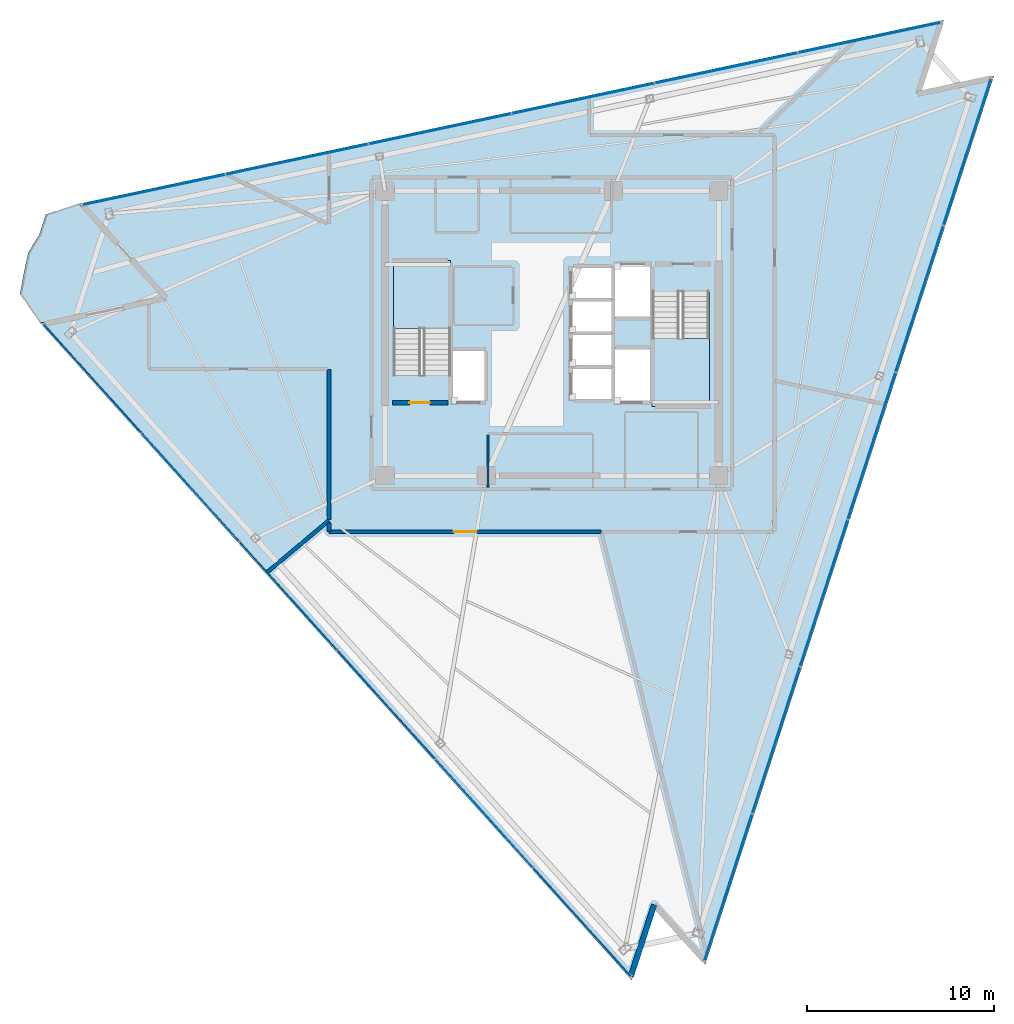
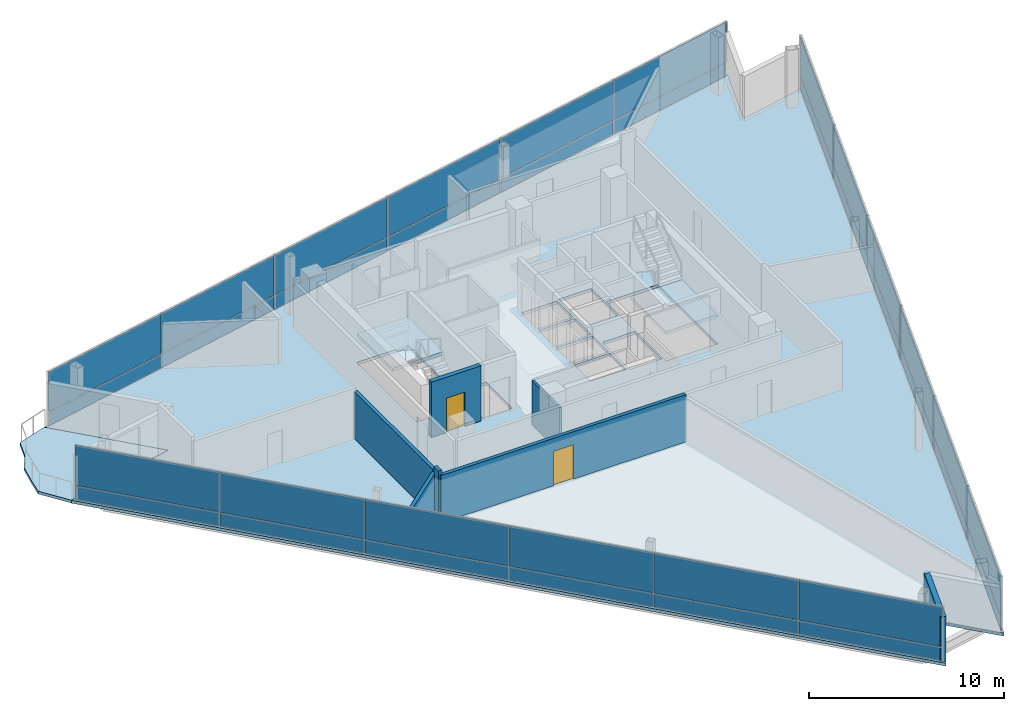
# One storey, part 9 of 15: 36 plates, 7 walls, 4 slabs, 2 doors, 2 openings, 5 elements without a shape of their own.
"""IFC4 building model written with IfcOpenShell, lengths in metres."""

from ifc_helpers import new_model, si_unit, direction, frame, frame_2d, origin, origin_2d, place, context, subcontext, project, spatial, polyline, rectangle, outline, extrude, material, layer, layer_set, type_object, element, fill, aggregate, save


model = new_model("IFC4")

# Units and contexts
model_context = context("Model", 3, precision=1e-05, world=origin(), true_north=direction((0.0, 1.0)))
body_context = subcontext(model_context, "Body", "Model", "MODEL_VIEW")
ifc_project = project(units=[si_unit("LENGTHUNIT", "METRE"), si_unit("AREAUNIT", "SQUARE_METRE"), si_unit("VOLUMEUNIT", "CUBIC_METRE"), si_unit("PLANEANGLEUNIT", "RADIAN"), si_unit("MASSUNIT", "GRAM", prefix="KILO")], contexts=[model_context])

# Site, building, storey
site_placement = place(None, origin())
site = spatial("IfcSite", under=ifc_project, at=site_placement, CompositionType="ELEMENT")
building_placement = place(site_placement, origin())
building = spatial("IfcBuilding", under=site, at=building_placement, Name="Tharavind Bronze Gate", CompositionType="ELEMENT")
storey_placement = place(building_placement, frame((0.0, 0.0, 290.699951171875)))
storey = spatial("IfcBuildingStorey", under=building, at=storey_placement, Name="L75", CompositionType="ELEMENT", Elevation=290.699951171875)

# Curtain wall, plates
ifc_material_1 = material(Name="Anodised Bronze Aluminium", Category="aluminium")
ifc_layer_1 = layer(ifc_material_1, 0.219970703125)
ifc_layer_set_1 = layer_set([ifc_layer_1], Name="Anodised Bronze Aluminium")
curtain_wall_type = type_object("IfcCurtainWallType", Name="UNITISED CURTAIN WALL CROWN", PredefinedType="USERDEFINED", material=ifc_layer_set_1)
curtain_wall_1_placement = place(storey_placement, origin())
curtain_wall_1 = element("IfcCurtainWall", 1, at=curtain_wall_1_placement, inside=storey, type_object=curtain_wall_type, Name="L75 unitised curtain wall crown CW-L75-S1", ObjectType="UNITISED CURTAIN WALL", PredefinedType="USERDEFINED")
ifc_material_2 = material(Name="Patinated Bronze Alloy Sheet", Category="bronze")
ifc_layer_2 = layer(ifc_material_2, 0.01611328125)
ifc_layer_set_2 = layer_set([ifc_layer_2], Name="Patinated Bronze Alloy Sheet")
plate_type_1 = type_object("IfcPlateType", Name="BRONZE SPANDREL CLADDING PANEL 16", PredefinedType="CURTAIN_PANEL", material=ifc_layer_set_2)
plate_1_placement = place(storey_placement, frame((-24.494873046875, -2.404052734375, 0.0263671875), z_axis=(0.0, 0.0, 1.0), x_axis=(0.669130606359, -0.743144825477, 0.0)))
plate_1 = element("IfcPlate", 2, at=plate_1_placement, type_object=plate_type_1, Name="CW-L75-S1 bronze spandrel panel 1", PredefinedType="CURTAIN_PANEL", context=body_context, shape_type="SweptSolid", body=[
    extrude(rectangle(XDim=7.749755859375, YDim=0.01611328125, at=origin_2d()), origin(), (0.0, 0.0, 1.0), 0.846923828125),
])
plate_2_placement = place(storey_placement, frame((-19.273681640625, -8.20263671875, 0.0263671875), z_axis=(0.0, 0.0, 1.0), x_axis=(0.669130606359, -0.743144825477, 0.0)))
plate_2 = element("IfcPlate", 3, at=plate_2_placement, type_object=plate_type_1, Name="CW-L75-S1 bronze spandrel panel 2", PredefinedType="CURTAIN_PANEL", context=body_context, shape_type="SweptSolid", body=[
    extrude(rectangle(XDim=7.749755859375, YDim=0.01611328125, at=origin_2d()), origin(), (0.0, 0.0, 1.0), 0.846923828125),
])
plate_3_placement = place(storey_placement, frame((-14.052734375, -14.001220703125, 0.0263671875), z_axis=(0.0, 0.0, 1.0), x_axis=(0.669130606359, -0.743144825477, 0.0)))
plate_3 = element("IfcPlate", 4, at=plate_3_placement, type_object=plate_type_1, Name="CW-L75-S1 bronze spandrel panel 3", PredefinedType="CURTAIN_PANEL", context=body_context, shape_type="SweptSolid", body=[
    extrude(rectangle(XDim=7.749755859375, YDim=0.01611328125, at=origin_2d()), origin(), (0.0, 0.0, 1.0), 0.846923828125),
])
plate_4_placement = place(storey_placement, frame((-8.831787109375, -19.7998046875, 0.0263671875), z_axis=(0.0, 0.0, 1.0), x_axis=(0.669130606359, -0.743144825477, 0.0)))
plate_4 = element("IfcPlate", 5, at=plate_4_placement, type_object=plate_type_1, Name="CW-L75-S1 bronze spandrel panel 4", PredefinedType="CURTAIN_PANEL", context=body_context, shape_type="SweptSolid", body=[
    extrude(rectangle(XDim=7.749755859375, YDim=0.01611328125, at=origin_2d()), origin(), (0.0, 0.0, 1.0), 0.846923828125),
])
plate_5_placement = place(storey_placement, frame((-3.610595703125, -25.59814453125, 0.0263671875), z_axis=(0.0, 0.0, 1.0), x_axis=(0.669130606359, -0.743144825477, 0.0)))
plate_5 = element("IfcPlate", 6, at=plate_5_placement, type_object=plate_type_1, Name="CW-L75-S1 bronze spandrel panel 5", PredefinedType="CURTAIN_PANEL", context=body_context, shape_type="SweptSolid", body=[
    extrude(rectangle(XDim=7.749755859375, YDim=0.01611328125, at=origin_2d()), origin(), (0.0, 0.0, 1.0), 0.846923828125),
])
plate_6_placement = place(storey_placement, frame((1.6103515625, -31.396728515625, 0.0263671875), z_axis=(0.0, 0.0, 1.0), x_axis=(0.669130606359, -0.743144825477, 0.0)))
plate_6 = element("IfcPlate", 7, at=plate_6_placement, type_object=plate_type_1, Name="CW-L75-S1 bronze spandrel panel 6", PredefinedType="CURTAIN_PANEL", context=body_context, shape_type="SweptSolid", body=[
    extrude(rectangle(XDim=7.749755859375, YDim=0.01611328125, at=origin_2d()), origin(), (0.0, 0.0, 1.0), 0.846923828125),
])

curtain_wall_2_placement = place(storey_placement, origin())
curtain_wall_2 = element("IfcCurtainWall", 8, at=curtain_wall_2_placement, inside=storey, type_object=curtain_wall_type, Name="L75 unitised curtain wall crown CW-L75-S2", ObjectType="UNITISED CURTAIN WALL", PredefinedType="USERDEFINED")
plate_7_placement = place(storey_placement, frame((9.41552734375, -29.54052734375, 0.0263671875), z_axis=(0.0, 0.0, 1.0), x_axis=(0.309016994375, 0.951056516295, 0.0)))
plate_7 = element("IfcPlate", 9, at=plate_7_placement, type_object=plate_type_1, Name="CW-L75-S2 bronze spandrel panel 1", PredefinedType="CURTAIN_PANEL", context=body_context, shape_type="SweptSolid", body=[
    extrude(rectangle(XDim=8.195068359375, YDim=0.01611328125, at=origin_2d()), origin(), (0.0, 0.0, 1.0), 0.846923828125),
])
plate_8_placement = place(storey_placement, frame((11.96435546875, -21.6962890625, 0.0263671875), z_axis=(0.0, 0.0, 1.0), x_axis=(0.309016994375, 0.951056516295, 0.0)))
plate_8 = element("IfcPlate", 10, at=plate_8_placement, type_object=plate_type_1, Name="CW-L75-S2 bronze spandrel panel 2", PredefinedType="CURTAIN_PANEL", context=body_context, shape_type="SweptSolid", body=[
    extrude(rectangle(XDim=8.195068359375, YDim=0.01611328125, at=origin_2d()), origin(), (0.0, 0.0, 1.0), 0.846923828125),
])
plate_9_placement = place(storey_placement, frame((14.51318359375, -13.851806640625, 0.0263671875), z_axis=(0.0, 0.0, 1.0), x_axis=(0.309016994375, 0.951056516295, 0.0)))
plate_9 = element("IfcPlate", 11, at=plate_9_placement, type_object=plate_type_1, Name="CW-L75-S2 bronze spandrel panel 3", PredefinedType="CURTAIN_PANEL", context=body_context, shape_type="SweptSolid", body=[
    extrude(rectangle(XDim=8.195068359375, YDim=0.01611328125, at=origin_2d()), origin(), (0.0, 0.0, 1.0), 0.846923828125),
])
plate_10_placement = place(storey_placement, frame((17.06201171875, -6.007568359375, 0.0263671875), z_axis=(0.0, 0.0, 1.0), x_axis=(0.309016994375, 0.951056516295, 0.0)))
plate_10 = element("IfcPlate", 12, at=plate_10_placement, type_object=plate_type_1, Name="CW-L75-S2 bronze spandrel panel 4", PredefinedType="CURTAIN_PANEL", context=body_context, shape_type="SweptSolid", body=[
    extrude(rectangle(XDim=8.195068359375, YDim=0.01611328125, at=origin_2d()), origin(), (0.0, 0.0, 1.0), 0.846923828125),
])
plate_11_placement = place(storey_placement, frame((19.610595703125, 1.8369140625, 0.0263671875), z_axis=(0.0, 0.0, 1.0), x_axis=(0.309016994375, 0.951056516295, 0.0)))
plate_11 = element("IfcPlate", 13, at=plate_11_placement, type_object=plate_type_1, Name="CW-L75-S2 bronze spandrel panel 5", PredefinedType="CURTAIN_PANEL", context=body_context, shape_type="SweptSolid", body=[
    extrude(rectangle(XDim=8.195068359375, YDim=0.01611328125, at=origin_2d()), origin(), (0.0, 0.0, 1.0), 0.846923828125),
])
plate_12_placement = place(storey_placement, frame((22.159423828125, 9.68115234375, 0.0263671875), z_axis=(0.0, 0.0, 1.0), x_axis=(0.309016994375, 0.951056516295, 0.0)))
plate_12 = element("IfcPlate", 14, at=plate_12_placement, type_object=plate_type_1, Name="CW-L75-S2 bronze spandrel panel 6", PredefinedType="CURTAIN_PANEL", context=body_context, shape_type="SweptSolid", body=[
    extrude(rectangle(XDim=8.195068359375, YDim=0.01611328125, at=origin_2d()), origin(), (0.0, 0.0, 1.0), 0.846923828125),
])

curtain_wall_3_placement = place(storey_placement, origin())
curtain_wall_3 = element("IfcCurtainWall", 15, at=curtain_wall_3_placement, inside=storey, type_object=curtain_wall_type, Name="L75 unitised curtain wall crown CW-L75-S3", ObjectType="UNITISED CURTAIN WALL", PredefinedType="USERDEFINED")
plate_13_placement = place(storey_placement, frame((16.935791015625, 15.770751953125, 0.0263671875), z_axis=(0.0, 0.0, 1.0), x_axis=(-0.978147237858, -0.207913398007, 0.0)))
plate_13 = element("IfcPlate", 16, at=plate_13_placement, type_object=plate_type_1, Name="CW-L75-S3 bronze spandrel panel 1", PredefinedType="CURTAIN_PANEL", context=body_context, shape_type="SweptSolid", body=[
    extrude(rectangle(XDim=7.749755859375, YDim=0.01611328125, at=origin_2d()), origin(), (0.0, 0.0, 1.0), 0.846923828125),
])
plate_14_placement = place(storey_placement, frame((9.3037109375, 14.1484375, 0.0263671875), z_axis=(0.0, 0.0, 1.0), x_axis=(-0.978147237858, -0.207913398007, 0.0)))
plate_14 = element("IfcPlate", 17, at=plate_14_placement, type_object=plate_type_1, Name="CW-L75-S3 bronze spandrel panel 2", PredefinedType="CURTAIN_PANEL", context=body_context, shape_type="SweptSolid", body=[
    extrude(rectangle(XDim=7.749755859375, YDim=0.01611328125, at=origin_2d()), origin(), (0.0, 0.0, 1.0), 0.846923828125),
])
plate_15_placement = place(storey_placement, frame((1.67138671875, 12.526123046875, 0.0263671875), z_axis=(0.0, 0.0, 1.0), x_axis=(-0.978147237858, -0.207913398007, 0.0)))
plate_15 = element("IfcPlate", 18, at=plate_15_placement, type_object=plate_type_1, Name="CW-L75-S3 bronze spandrel panel 3", PredefinedType="CURTAIN_PANEL", context=body_context, shape_type="SweptSolid", body=[
    extrude(rectangle(XDim=7.749755859375, YDim=0.01611328125, at=origin_2d()), origin(), (0.0, 0.0, 1.0), 0.846923828125),
])
plate_16_placement = place(storey_placement, frame((-5.960693359375, 10.90380859375, 0.0263671875), z_axis=(0.0, 0.0, 1.0), x_axis=(-0.978147237858, -0.207913398007, 0.0)))
plate_16 = element("IfcPlate", 19, at=plate_16_placement, type_object=plate_type_1, Name="CW-L75-S3 bronze spandrel panel 4", PredefinedType="CURTAIN_PANEL", context=body_context, shape_type="SweptSolid", body=[
    extrude(rectangle(XDim=7.749755859375, YDim=0.01611328125, at=origin_2d()), origin(), (0.0, 0.0, 1.0), 0.846923828125),
])
plate_17_placement = place(storey_placement, frame((-13.5927734375, 9.281494140625, 0.0263671875), z_axis=(0.0, 0.0, 1.0), x_axis=(-0.978147237858, -0.207913398007, 0.0)))
plate_17 = element("IfcPlate", 20, at=plate_17_placement, type_object=plate_type_1, Name="CW-L75-S3 bronze spandrel panel 5", PredefinedType="CURTAIN_PANEL", context=body_context, shape_type="SweptSolid", body=[
    extrude(rectangle(XDim=7.749755859375, YDim=0.01611328125, at=origin_2d()), origin(), (0.0, 0.0, 1.0), 0.846923828125),
])
plate_18_placement = place(storey_placement, frame((-21.22509765625, 7.6591796875, 0.0263671875), z_axis=(0.0, 0.0, 1.0), x_axis=(-0.978147237858, -0.207913398007, 0.0)))
plate_18 = element("IfcPlate", 21, at=plate_18_placement, type_object=plate_type_1, Name="CW-L75-S3 bronze spandrel panel 6", PredefinedType="CURTAIN_PANEL", context=body_context, shape_type="SweptSolid", body=[
    extrude(rectangle(XDim=7.749755859375, YDim=0.01611328125, at=origin_2d()), origin(), (0.0, 0.0, 1.0), 0.846923828125),
])

# Slab
ifc_material_3 = material(Name="Concrete C40/50", Category="concrete")
ifc_layer_3 = layer(ifc_material_3, 0.175048828125)
ifc_layer_set_3 = layer_set([ifc_layer_3], Name="Concrete C40/50")
slab_type_1 = type_object("IfcSlabType", Name="EXTERIOR BALCONY SLAB 175", PredefinedType="FLOOR", material=ifc_layer_set_3)
slab_1_placement = place(storey_placement, frame((0.0, 0.0, -0.175048828125)))
element("IfcSlab", 22, at=slab_1_placement, inside=storey, type_object=slab_type_1, Name="L75 northeast tree balcony slab", PredefinedType="FLOOR", context=body_context, shape_type="SweptSolid", body=[
    extrude(outline(polyline([(-26.992431640625, 6.34375), (-27.33642578125, 5.284912109375), (-27.927978515625, 4.306396484375), (-28.1650390625, 3.212890625), (-28.36865234375, 2.1083984375), (-27.29541015625, 0.556884765625), (-20.761474609375, 1.94580078125), (-25.231201171875, 6.909912109375), (-26.992431640625, 6.34375)])), origin(), (0.0, 0.0, 1.0), 0.175048828125),
])

# Stair, slab
stair_type = type_object("IfcStairType", Name="CORE HALF TURN STAIR 1450", PredefinedType="HALF_TURN_STAIR", material=ifc_material_3)
stair_1_placement = place(storey_placement, origin())
stair_1 = element("IfcStair", 23, at=stair_1_placement, inside=storey, type_object=stair_type, Name="L75 Protected Exit Stair ST1", PredefinedType="HALF_TURN_STAIR")
ifc_layer_4 = layer(ifc_material_3, 0.199951171875)
ifc_layer_set_4 = layer_set([ifc_layer_4], Name="Concrete C40/50")
slab_type_2 = type_object("IfcSlabType", Name="STAIR LANDING SLAB 200", PredefinedType="LANDING", material=ifc_layer_set_4)
slab_2_placement = place(storey_placement, frame((0.0, 0.0, 1.625)))
slab_2 = element("IfcSlab", 24, at=slab_2_placement, type_object=slab_type_2, Name="ST1 landing 1", PredefinedType="LANDING", context=body_context, shape_type="SweptSolid", body=[
    extrude(outline(polyline([(-5.39990234375, 0.27001953125), (-5.39990234375, 3.89990234375), (-8.449951171875, 3.89990234375), (-8.449951171875, 0.27001953125), (-5.39990234375, 0.27001953125)])), origin(), (0.0, 0.0, 1.0), 0.199951171875),
])
aggregate(stair_1, [slab_2])

stair_2_placement = place(storey_placement, origin())
stair_2 = element("IfcStair", 25, at=stair_2_placement, inside=storey, type_object=stair_type, Name="L75 Protected Exit Stair ST2", PredefinedType="HALF_TURN_STAIR")
slab_3_placement = place(storey_placement, frame((0.0, 0.0, 1.625)))
slab_3 = element("IfcSlab", 26, at=slab_3_placement, type_object=slab_type_2, Name="ST2 landing 1", PredefinedType="LANDING", context=body_context, shape_type="SweptSolid", body=[
    extrude(outline(polyline([(5.35009765625, -0.27001953125), (5.35009765625, -3.89990234375), (8.39990234375, -3.89990234375), (8.39990234375, -0.27001953125), (5.35009765625, -0.27001953125)])), origin(), (0.0, 0.0, 1.0), 0.199951171875),
])
aggregate(stair_2, [slab_3])

# Slab
ifc_layer_5 = layer(ifc_material_3, 0.18505859375)
ifc_layer_set_5 = layer_set([ifc_layer_5], Name="Concrete C40/50")
slab_type_3 = type_object("IfcSlabType", Name="STRUCTURAL FLOOR SLAB 185", PredefinedType="FLOOR", material=ifc_layer_set_5)
slab_4_placement = place(storey_placement, frame((0.0, 0.0, -0.18505859375)))
element("IfcSlab", 27, at=slab_4_placement, inside=storey, type_object=slab_type_3, Name="L75 main structural floor slab", PredefinedType="FLOOR", context=body_context, shape_type="SweptSolid", body=[
    extrude(outline(polyline([(-25.231201171875, 6.909912109375), (-20.761474609375, 1.94580078125), (-27.29541015625, 0.556884765625), (4.262451171875, -34.49169921875), (5.5009765625, -30.6796875), (8.182861328125, -33.658203125), (23.58251953125, 13.737060546875), (19.662109375, 12.90380859375), (20.900634765625, 16.7158203125), (-25.231201171875, 6.909912109375)]), holes=[polyline([(-5.39990234375, -2.215087890625), (-5.39990234375, 3.89990234375), (-8.449951171875, 3.89990234375), (-8.449951171875, -2.215087890625), (-5.39990234375, -2.215087890625)]), polyline([(5.35009765625, 2.215087890625), (5.35009765625, -3.89990234375), (8.39990234375, -3.89990234375), (8.39990234375, 2.215087890625), (5.35009765625, 2.215087890625)]), polyline([(1.080078125, -3.52001953125), (3.199951171875, -3.52001953125), (3.199951171875, -1.8798828125), (1.080078125, -1.8798828125), (1.080078125, -3.52001953125)]), polyline([(1.080078125, -1.719970703125), (3.199951171875, -1.719970703125), (3.199951171875, -0.080078125), (1.080078125, -0.080078125), (1.080078125, -1.719970703125)]), polyline([(1.080078125, 0.080078125), (3.199951171875, 0.080078125), (3.199951171875, 1.719970703125), (1.080078125, 1.719970703125), (1.080078125, 0.080078125)]), polyline([(1.080078125, 1.8798828125), (3.199951171875, 1.8798828125), (3.199951171875, 3.52001953125), (1.080078125, 3.52001953125), (1.080078125, 1.8798828125)]), polyline([(-5.320068359375, -3.6201171875), (-3.580078125, -3.6201171875), (-3.580078125, -0.929931640625), (-5.320068359375, -0.929931640625), (-5.320068359375, -3.6201171875)]), polyline([(3.360107421875, 0.8798828125), (5.27001953125, 0.8798828125), (5.27001953125, 3.6201171875), (3.360107421875, 3.6201171875), (3.360107421875, 0.8798828125)]), polyline([(3.360107421875, -3.6201171875), (5.27001953125, -3.6201171875), (5.27001953125, -0.830078125), (3.360107421875, -0.830078125), (3.360107421875, -3.6201171875)])]), origin(), (0.0, 0.0, 1.0), 0.18505859375),
])

# Plate
ifc_material_4 = material(Name="Triple Solar Control Glazing", Category="glass")
ifc_layer_6 = layer(ifc_material_4, 0.0439453125)
ifc_layer_set_6 = layer_set([ifc_layer_6], Name="Triple Solar Control Glazing")
plate_type_2 = type_object("IfcPlateType", Name="TRIPLE GLAZED FACADE PANEL 44", PredefinedType="CURTAIN_PANEL", material=ifc_layer_set_6)
plate_19_placement = place(storey_placement, frame((-24.494873046875, -2.404052734375, 0.9267578125), z_axis=(0.0, 0.0, 1.0), x_axis=(0.669130606359, -0.743144825477, 0.0)))
plate_19 = element("IfcPlate", 28, at=plate_19_placement, type_object=plate_type_2, Name="CW-L75-S1 vision glazing panel 1", PredefinedType="CURTAIN_PANEL", context=body_context, shape_type="SweptSolid", body=[
    extrude(rectangle(XDim=7.749755859375, YDim=0.0439453125, at=origin_2d()), origin(), (0.0, 0.0, 1.0), 2.511962890625),
])

plate_20_placement = place(storey_placement, frame((-19.273681640625, -8.20263671875, 0.9267578125), z_axis=(0.0, 0.0, 1.0), x_axis=(0.669130606359, -0.743144825477, 0.0)))
plate_20 = element("IfcPlate", 29, at=plate_20_placement, type_object=plate_type_2, Name="CW-L75-S1 vision glazing panel 2", PredefinedType="CURTAIN_PANEL", context=body_context, shape_type="SweptSolid", body=[
    extrude(rectangle(XDim=7.749755859375, YDim=0.0439453125, at=origin_2d()), origin(), (0.0, 0.0, 1.0), 2.511962890625),
])

plate_21_placement = place(storey_placement, frame((-14.052734375, -14.001220703125, 0.9267578125), z_axis=(0.0, 0.0, 1.0), x_axis=(0.669130606359, -0.743144825477, 0.0)))
plate_21 = element("IfcPlate", 30, at=plate_21_placement, type_object=plate_type_2, Name="CW-L75-S1 vision glazing panel 3", PredefinedType="CURTAIN_PANEL", context=body_context, shape_type="SweptSolid", body=[
    extrude(rectangle(XDim=7.749755859375, YDim=0.0439453125, at=origin_2d()), origin(), (0.0, 0.0, 1.0), 2.511962890625),
])

plate_22_placement = place(storey_placement, frame((-8.831787109375, -19.7998046875, 0.9267578125), z_axis=(0.0, 0.0, 1.0), x_axis=(0.669130606359, -0.743144825477, 0.0)))
plate_22 = element("IfcPlate", 31, at=plate_22_placement, type_object=plate_type_2, Name="CW-L75-S1 vision glazing panel 4", PredefinedType="CURTAIN_PANEL", context=body_context, shape_type="SweptSolid", body=[
    extrude(rectangle(XDim=7.749755859375, YDim=0.0439453125, at=origin_2d()), origin(), (0.0, 0.0, 1.0), 2.511962890625),
])

plate_23_placement = place(storey_placement, frame((-3.610595703125, -25.59814453125, 0.9267578125), z_axis=(0.0, 0.0, 1.0), x_axis=(0.669130606359, -0.743144825477, 0.0)))
plate_23 = element("IfcPlate", 32, at=plate_23_placement, type_object=plate_type_2, Name="CW-L75-S1 vision glazing panel 5", PredefinedType="CURTAIN_PANEL", context=body_context, shape_type="SweptSolid", body=[
    extrude(rectangle(XDim=7.749755859375, YDim=0.0439453125, at=origin_2d()), origin(), (0.0, 0.0, 1.0), 2.511962890625),
])

plate_24_placement = place(storey_placement, frame((1.6103515625, -31.396728515625, 0.9267578125), z_axis=(0.0, 0.0, 1.0), x_axis=(0.669130606359, -0.743144825477, 0.0)))
plate_24 = element("IfcPlate", 33, at=plate_24_placement, type_object=plate_type_2, Name="CW-L75-S1 vision glazing panel 6", PredefinedType="CURTAIN_PANEL", context=body_context, shape_type="SweptSolid", body=[
    extrude(rectangle(XDim=7.749755859375, YDim=0.0439453125, at=origin_2d()), origin(), (0.0, 0.0, 1.0), 2.511962890625),
])

aggregate(curtain_wall_1, [plate_1, plate_19, plate_2, plate_20, plate_3, plate_21, plate_4, plate_22, plate_5, plate_23, plate_6, plate_24])

plate_25_placement = place(storey_placement, frame((9.41552734375, -29.54052734375, 0.9267578125), z_axis=(0.0, 0.0, 1.0), x_axis=(0.309016994375, 0.951056516295, 0.0)))
plate_25 = element("IfcPlate", 34, at=plate_25_placement, type_object=plate_type_2, Name="CW-L75-S2 vision glazing panel 1", PredefinedType="CURTAIN_PANEL", context=body_context, shape_type="SweptSolid", body=[
    extrude(rectangle(XDim=8.195068359375, YDim=0.0439453125, at=origin_2d()), origin(), (0.0, 0.0, 1.0), 2.511962890625),
])

plate_26_placement = place(storey_placement, frame((11.96435546875, -21.6962890625, 0.9267578125), z_axis=(0.0, 0.0, 1.0), x_axis=(0.309016994375, 0.951056516295, 0.0)))
plate_26 = element("IfcPlate", 35, at=plate_26_placement, type_object=plate_type_2, Name="CW-L75-S2 vision glazing panel 2", PredefinedType="CURTAIN_PANEL", context=body_context, shape_type="SweptSolid", body=[
    extrude(rectangle(XDim=8.195068359375, YDim=0.0439453125, at=origin_2d()), origin(), (0.0, 0.0, 1.0), 2.511962890625),
])

plate_27_placement = place(storey_placement, frame((14.51318359375, -13.851806640625, 0.9267578125), z_axis=(0.0, 0.0, 1.0), x_axis=(0.309016994375, 0.951056516295, 0.0)))
plate_27 = element("IfcPlate", 36, at=plate_27_placement, type_object=plate_type_2, Name="CW-L75-S2 vision glazing panel 3", PredefinedType="CURTAIN_PANEL", context=body_context, shape_type="SweptSolid", body=[
    extrude(rectangle(XDim=8.195068359375, YDim=0.0439453125, at=origin_2d()), origin(), (0.0, 0.0, 1.0), 2.511962890625),
])

plate_28_placement = place(storey_placement, frame((17.06201171875, -6.007568359375, 0.9267578125), z_axis=(0.0, 0.0, 1.0), x_axis=(0.309016994375, 0.951056516295, 0.0)))
plate_28 = element("IfcPlate", 37, at=plate_28_placement, type_object=plate_type_2, Name="CW-L75-S2 vision glazing panel 4", PredefinedType="CURTAIN_PANEL", context=body_context, shape_type="SweptSolid", body=[
    extrude(rectangle(XDim=8.195068359375, YDim=0.0439453125, at=origin_2d()), origin(), (0.0, 0.0, 1.0), 2.511962890625),
])

plate_29_placement = place(storey_placement, frame((19.610595703125, 1.8369140625, 0.9267578125), z_axis=(0.0, 0.0, 1.0), x_axis=(0.309016994375, 0.951056516295, 0.0)))
plate_29 = element("IfcPlate", 38, at=plate_29_placement, type_object=plate_type_2, Name="CW-L75-S2 vision glazing panel 5", PredefinedType="CURTAIN_PANEL", context=body_context, shape_type="SweptSolid", body=[
    extrude(rectangle(XDim=8.195068359375, YDim=0.0439453125, at=origin_2d()), origin(), (0.0, 0.0, 1.0), 2.511962890625),
])

plate_30_placement = place(storey_placement, frame((22.159423828125, 9.68115234375, 0.9267578125), z_axis=(0.0, 0.0, 1.0), x_axis=(0.309016994375, 0.951056516295, 0.0)))
plate_30 = element("IfcPlate", 39, at=plate_30_placement, type_object=plate_type_2, Name="CW-L75-S2 vision glazing panel 6", PredefinedType="CURTAIN_PANEL", context=body_context, shape_type="SweptSolid", body=[
    extrude(rectangle(XDim=8.195068359375, YDim=0.0439453125, at=origin_2d()), origin(), (0.0, 0.0, 1.0), 2.511962890625),
])

aggregate(curtain_wall_2, [plate_7, plate_25, plate_8, plate_26, plate_9, plate_27, plate_10, plate_28, plate_11, plate_29, plate_12, plate_30])

plate_31_placement = place(storey_placement, frame((16.935791015625, 15.770751953125, 0.9267578125), z_axis=(0.0, 0.0, 1.0), x_axis=(-0.978147237858, -0.207913398007, 0.0)))
plate_31 = element("IfcPlate", 40, at=plate_31_placement, type_object=plate_type_2, Name="CW-L75-S3 vision glazing panel 1", PredefinedType="CURTAIN_PANEL", context=body_context, shape_type="SweptSolid", body=[
    extrude(rectangle(XDim=7.749755859375, YDim=0.0439453125, at=origin_2d()), origin(), (0.0, 0.0, 1.0), 2.511962890625),
])

plate_32_placement = place(storey_placement, frame((9.3037109375, 14.1484375, 0.9267578125), z_axis=(0.0, 0.0, 1.0), x_axis=(-0.978147237858, -0.207913398007, 0.0)))
plate_32 = element("IfcPlate", 41, at=plate_32_placement, type_object=plate_type_2, Name="CW-L75-S3 vision glazing panel 2", PredefinedType="CURTAIN_PANEL", context=body_context, shape_type="SweptSolid", body=[
    extrude(rectangle(XDim=7.749755859375, YDim=0.0439453125, at=origin_2d()), origin(), (0.0, 0.0, 1.0), 2.511962890625),
])

plate_33_placement = place(storey_placement, frame((1.67138671875, 12.526123046875, 0.9267578125), z_axis=(0.0, 0.0, 1.0), x_axis=(-0.978147237858, -0.207913398007, 0.0)))
plate_33 = element("IfcPlate", 42, at=plate_33_placement, type_object=plate_type_2, Name="CW-L75-S3 vision glazing panel 3", PredefinedType="CURTAIN_PANEL", context=body_context, shape_type="SweptSolid", body=[
    extrude(rectangle(XDim=7.749755859375, YDim=0.0439453125, at=origin_2d()), origin(), (0.0, 0.0, 1.0), 2.511962890625),
])

plate_34_placement = place(storey_placement, frame((-5.960693359375, 10.90380859375, 0.9267578125), z_axis=(0.0, 0.0, 1.0), x_axis=(-0.978147237858, -0.207913398007, 0.0)))
plate_34 = element("IfcPlate", 43, at=plate_34_placement, type_object=plate_type_2, Name="CW-L75-S3 vision glazing panel 4", PredefinedType="CURTAIN_PANEL", context=body_context, shape_type="SweptSolid", body=[
    extrude(rectangle(XDim=7.749755859375, YDim=0.0439453125, at=origin_2d()), origin(), (0.0, 0.0, 1.0), 2.511962890625),
])

plate_35_placement = place(storey_placement, frame((-13.5927734375, 9.281494140625, 0.9267578125), z_axis=(0.0, 0.0, 1.0), x_axis=(-0.978147237858, -0.207913398007, 0.0)))
plate_35 = element("IfcPlate", 44, at=plate_35_placement, type_object=plate_type_2, Name="CW-L75-S3 vision glazing panel 5", PredefinedType="CURTAIN_PANEL", context=body_context, shape_type="SweptSolid", body=[
    extrude(rectangle(XDim=7.749755859375, YDim=0.0439453125, at=origin_2d()), origin(), (0.0, 0.0, 1.0), 2.511962890625),
])

plate_36_placement = place(storey_placement, frame((-21.22509765625, 7.6591796875, 0.9267578125), z_axis=(0.0, 0.0, 1.0), x_axis=(-0.978147237858, -0.207913398007, 0.0)))
plate_36 = element("IfcPlate", 45, at=plate_36_placement, type_object=plate_type_2, Name="CW-L75-S3 vision glazing panel 6", PredefinedType="CURTAIN_PANEL", context=body_context, shape_type="SweptSolid", body=[
    extrude(rectangle(XDim=7.749755859375, YDim=0.0439453125, at=origin_2d()), origin(), (0.0, 0.0, 1.0), 2.511962890625),
])

aggregate(curtain_wall_3, [plate_13, plate_31, plate_14, plate_32, plate_15, plate_33, plate_16, plate_34, plate_17, plate_35, plate_18, plate_36])

# Walls
ifc_layer_7 = layer(ifc_material_3, 0.300048828125)
ifc_layer_set_7 = layer_set([ifc_layer_7], Name="Concrete C40/50")
wall_type_1 = type_object("IfcWallType", Name="EXTERIOR SPANDREL WALL 300", PredefinedType="STANDARD", material=ifc_layer_set_7)
wall_1_placement = place(storey_placement, frame((4.220703125, -34.2958984375, 0.0), z_axis=(0.0, 0.0, 1.0), x_axis=(0.309018580232, 0.951056001018, 0.0)))
element("IfcWall", 46, at=wall_1_placement, inside=storey, type_object=wall_type_1, Name="L75 notch cheek wall 2A", PredefinedType="STANDARD", context=body_context, shape_type="SweptSolid", body=[
    extrude(rectangle(XDim=4.0078125, YDim=0.300048828125, at=frame_2d((2.00390625, 0.0))), origin(), (0.0, 0.0, 1.0), 2.81005859375),
])
ifc_material_5 = material(Name="Aerated Concrete Block", Category="concrete")
ifc_layer_8 = layer(ifc_material_5, 0.199951171875)
ifc_layer_set_8 = layer_set([ifc_layer_8], Name="Aerated Concrete Block")
wall_type_2 = type_object("IfcWallType", Name="FIRE RATED PARTITION 200", PredefinedType="PARTITIONING", material=ifc_layer_set_8)
wall_2_placement = place(storey_placement, frame((-11.8798828125, -1.925048828125, 0.0), z_axis=(0.0, 0.0, 1.0), x_axis=(0.0, -1.0, 0.0)))
element("IfcWall", 47, at=wall_2_placement, inside=storey, type_object=wall_type_2, Name="L75 Commercial Tasting Kitchen partition", PredefinedType="PARTITIONING", context=body_context, shape_type="SweptSolid", body=[
    extrude(rectangle(XDim=8.03173828125, YDim=0.199951171875, at=frame_2d((4.015869140625, 0.0))), origin(), (0.0, 0.0, 1.0), 2.9599609375),
])
wall_3_placement = place(storey_placement, frame((-11.888916015625, -9.97607421875, 0.0), z_axis=(0.0, 0.0, 1.0), x_axis=(-0.766051997516, -0.642778606599, 0.0)))
element("IfcWall", 48, at=wall_3_placement, inside=storey, type_object=wall_type_2, Name="L75 Commercial Tasting Kitchen partition", PredefinedType="PARTITIONING", context=body_context, shape_type="SweptSolid", body=[
    extrude(rectangle(XDim=4.27978515625, YDim=0.199951171875, at=frame_2d((2.139892578125, 0.0))), origin(), (0.0, 0.0, 1.0), 2.81005859375),
])

# Wall, opening, door
wall_4_placement = place(storey_placement, frame((-11.87939453125, -10.580078125, 0.0), z_axis=(0.0, 0.0, 1.0), x_axis=(1.0, 0.0, 0.0)))
wall_4 = element("IfcWall", 49, at=wall_4_placement, inside=storey, type_object=wall_type_2, Name="L75 Crown Executive Boardroom partition", PredefinedType="PARTITIONING", context=body_context, shape_type="SweptSolid", body=[
    extrude(rectangle(XDim=14.497802734375, YDim=0.199951171875, at=frame_2d((7.2490234375, 0.0))), origin(), (0.0, 0.0, 1.0), 2.9599609375),
])
opening_1_placement = place(wall_4_placement, frame((6.64892578125, 0.0, 0.0)))
opening_1 = element("IfcOpeningElement", 50, at=opening_1_placement, cuts=wall_4, Name="Opening ID05", PredefinedType="OPENING", context=body_context, shape_type="SweptSolid", body=[
    extrude(rectangle(XDim=1.199951171875, YDim=2.14990234375, at=frame_2d((0.60009765625, 1.074951171875))), frame((0.0, 0.11009765625, 0.0), z_axis=(0.0, -1.0, 0.0), x_axis=(1.0, 0.0, 0.0)), (0.0, 0.0, 1.0), 0.219951171875),
])
ifc_material_6 = material(Name="Acoustic Laminated Glass", Category="glass")
door_type_1 = type_object("IfcDoorType", Name="MEETING ROOM GLAZED DOOR 1200X2150", OperationType="SINGLE_SWING_LEFT", PredefinedType="DOOR", material=ifc_material_6)
door_1_placement = place(opening_1_placement, origin())
door_1 = element("IfcDoor", 51, at=door_1_placement, inside=storey, type_object=door_type_1, Name="L75 Crown Executive Boardroom door", OperationType="SINGLE_SWING_LEFT", OverallHeight=2.14990234375, OverallWidth=1.199951171875, PredefinedType="DOOR", context=body_context, shape_type="SweptSolid", body=[
    extrude(rectangle(XDim=1.199951171875, YDim=2.14990234375, at=frame_2d((0.60009765625, 1.074951171875))), frame((0.0, 0.02490234375, 0.0), z_axis=(0.0, -1.0, 0.0), x_axis=(1.0, 0.0, 0.0)), (0.0, 0.0, 1.0), 0.050048828125),
])
fill(opening_1, door_1)

# Walls
wall_5_placement = place(storey_placement, frame((-11.8798828125, -10.105712890625, 0.0), z_axis=(0.0, 0.0, 1.0), x_axis=(0.0, -1.0, 0.0)))
element("IfcWall", 52, at=wall_5_placement, inside=storey, type_object=wall_type_2, Name="L75 Crown Executive Boardroom partition", PredefinedType="PARTITIONING", context=body_context, shape_type="SweptSolid", body=[
    extrude(rectangle(XDim=0.4736328125, YDim=0.199951171875, at=frame_2d((0.23681640625, 0.0))), origin(), (0.0, 0.0, 1.0), 3.219970703125),
])
ifc_material_7 = material(Name="Metal Stud Gypsum Partition", Category="gypsum")
ifc_layer_9 = layer(ifc_material_7, 0.1201171875)
ifc_layer_set_9 = layer_set([ifc_layer_9], Name="Metal Stud Gypsum Partition")
wall_type_3 = type_object("IfcWallType", Name="INTERIOR PARTITION WALL 120", PredefinedType="PARTITIONING", material=ifc_layer_set_9)
wall_6_placement = place(storey_placement, frame((-3.39990234375, -5.4150390625, 0.0), z_axis=(0.0, 0.0, 1.0), x_axis=(0.0, -1.0, 0.0)))
element("IfcWall", 53, at=wall_6_placement, inside=storey, type_object=wall_type_3, Name="L75 Core BMS Control Room partition 4", PredefinedType="PARTITIONING", context=body_context, shape_type="SweptSolid", body=[
    extrude(rectangle(XDim=2.800048828125, YDim=0.1201171875, at=frame_2d((1.39990234375, 0.0))), origin(), (0.0, 0.0, 1.0), 2.760009765625),
])

# Wall, opening, door
ifc_material_8 = material(Name="Concrete C50/60", Category="concrete")
ifc_layer_10 = layer(ifc_material_8, 0.25)
ifc_layer_set_10 = layer_set([ifc_layer_10], Name="Concrete C50/60")
wall_type_4 = type_object("IfcWallType", Name="RC CORE SHEAR WALL 250", PredefinedType="SHEAR", material=ifc_layer_set_10)
wall_7_placement = place(storey_placement, frame((-8.5, -3.699951171875, 0.0), z_axis=(0.0, 0.0, 1.0), x_axis=(1.0, 0.0, 0.0)))
wall_7 = element("IfcWall", 54, at=wall_7_placement, inside=storey, type_object=wall_type_4, Name="L75 ST1 shaft south wall", PredefinedType="SHEAR", context=body_context, shape_type="SweptSolid", body=[
    extrude(rectangle(XDim=2.949951171875, YDim=0.25, at=frame_2d((1.47509765625, 0.0))), origin(), (0.0, 0.0, 1.0), 3.465087890625),
])
opening_2_placement = place(wall_7_placement, frame((0.89990234375, 0.0, 0.0)))
opening_2 = element("IfcOpeningElement", 55, at=opening_2_placement, cuts=wall_7, Name="Opening ID01", PredefinedType="OPENING", context=body_context, shape_type="SweptSolid", body=[
    extrude(rectangle(XDim=1.10009765625, YDim=2.14990234375, at=frame_2d((0.550048828125, 1.074951171875))), frame((0.0, 0.135, 0.0), z_axis=(0.0, -1.0, 0.0), x_axis=(1.0, 0.0, 0.0)), (0.0, 0.0, 1.0), 0.27),
])
ifc_material_9 = material(Name="Fire-Rated Steel", Category="steel")
door_type_2 = type_object("IfcDoorType", Name="STAIR CORE FIRE DOOR 1100X2150", OperationType="SINGLE_SWING_LEFT", PredefinedType="DOOR", material=ifc_material_9)
door_2_placement = place(opening_2_placement, origin())
door_2 = element("IfcDoor", 56, at=door_2_placement, inside=storey, type_object=door_type_2, Name="L75 exit stair ST1 fire door", OperationType="SINGLE_SWING_LEFT", OverallHeight=2.14990234375, OverallWidth=1.10009765625, PredefinedType="DOOR", context=body_context, shape_type="SweptSolid", body=[
    extrude(rectangle(XDim=1.10009765625, YDim=2.14990234375, at=frame_2d((0.550048828125, 1.074951171875))), frame((0.0, 0.02490234375, 0.0), z_axis=(0.0, -1.0, 0.0), x_axis=(1.0, 0.0, 0.0)), (0.0, 0.0, 1.0), 0.050048828125),
])
fill(opening_2, door_2)

save(model, "model.ifc")
